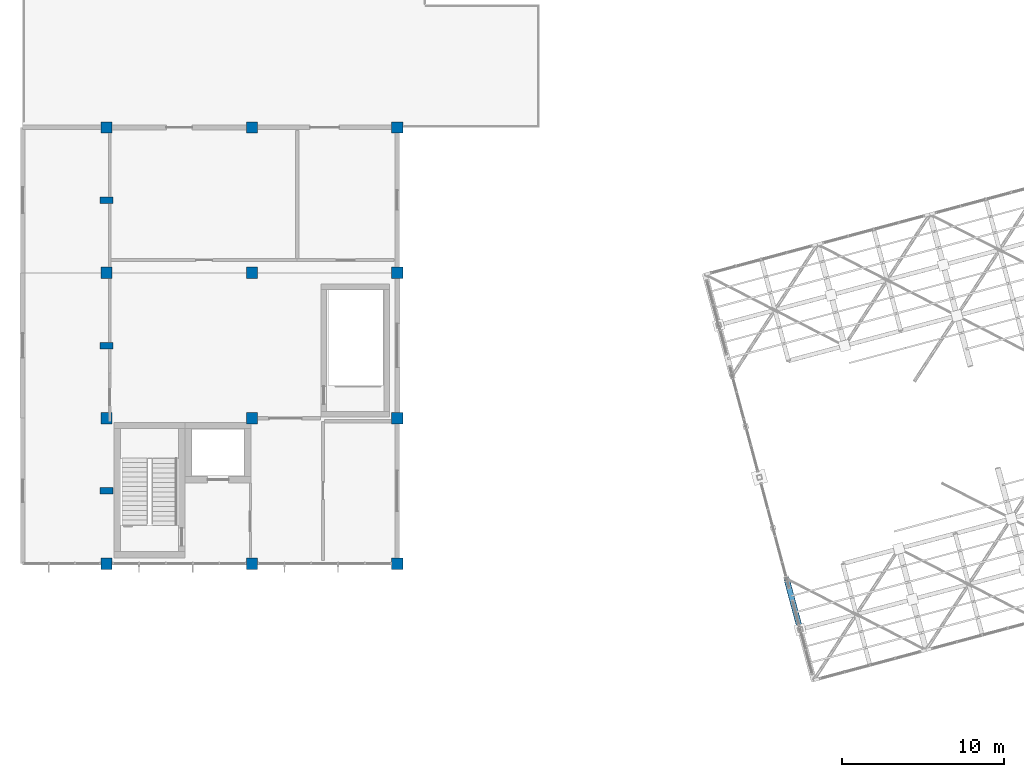
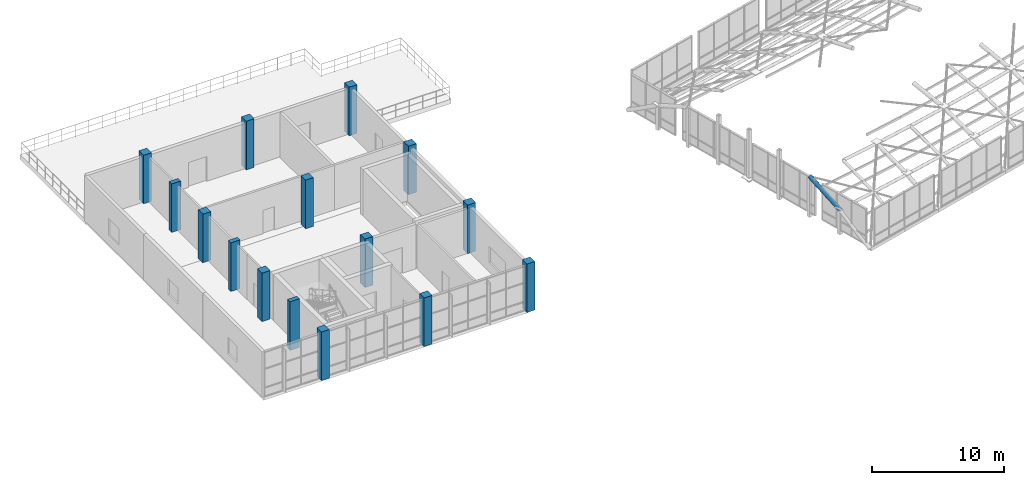
# One storey, part 1 of 29: 15 columns, 1 member.
"""IFC4 building model written with IfcOpenShell, lengths in metres."""

from ifc_helpers import new_model, si_unit, direction, frame, origin, origin_2d, place, context, subcontext, project, spatial, rectangle, hollow_circle, extrude, material, material_profile, profile_set, type_object, element, save


model = new_model("IFC4")

# Units and contexts
model_context = context("Model", 3, precision=1e-05, world=origin(), true_north=direction((0.0, 1.0)))
body_context = subcontext(model_context, "Body", "Model", "MODEL_VIEW")
ifc_project = project(units=[si_unit("LENGTHUNIT", "METRE"), si_unit("AREAUNIT", "SQUARE_METRE"), si_unit("VOLUMEUNIT", "CUBIC_METRE"), si_unit("PLANEANGLEUNIT", "RADIAN"), si_unit("MASSUNIT", "GRAM", prefix="KILO")], contexts=[model_context])

# Site, building, storey
site_placement = place(None, origin())
site = spatial("IfcSite", under=ifc_project, at=site_placement, CompositionType="ELEMENT")
building_placement = place(site_placement, origin())
building = spatial("IfcBuilding", under=site, at=building_placement, Name="Ventoquebrada Cableway Terminal", CompositionType="ELEMENT")
storey_placement = place(building_placement, frame((0.0, 0.0, 18.89990234375)))
storey = spatial("IfcBuildingStorey", under=building, at=storey_placement, Name="L04", CompositionType="ELEMENT", Elevation=18.89990234375)

# Columns
ifc_material_1 = material(Name="Concrete C40/50", Category="concrete")
ifc_material_profile_1 = material_profile(ifc_material_1, rectangle(XDim=0.699951171875, YDim=0.699951171875, at=origin_2d()), Name="RC-COL-700X700")
ifc_profile_set_1 = profile_set([ifc_material_profile_1], Name="Concrete C40/50")
column_type_1 = type_object("IfcColumnType", Name="COL-RC04", PredefinedType="COLUMN", material=ifc_profile_set_1)
for number, where, z_axis, x_axis, name in (
    (1, (8.199951171875, 77.0, 0.0), (0.0, 0.0, 1.0), (1.0, 0.0, 0.0), "Structural column FC-0186"),
    (2, (8.199951171875, 86.0, 0.0), (0.0, 0.0, 1.0), (1.0, 0.0, 0.0), "Structural column FC-0193"),
    (3, (8.199951171875, 95.0, 0.0), (0.0, 0.0, 1.0), (1.0, 0.0, 0.0), "Structural column FC-0200"),
    (4, (8.199951171875, 104.0, 0.0), (0.0, 0.0, 1.0), (1.0, 0.0, 0.0), "Structural column FC-0207"),
    (5, (17.199951171875, 77.0, 0.0), (0.0, 0.0, 1.0), (1.0, 0.0, 0.0), "Structural column FC-0226"),
    (6, (17.199951171875, 86.0, 0.0), (0.0, 0.0, 1.0), (1.0, 0.0, 0.0), "Structural column FC-0233"),
    (7, (17.199951171875, 95.0, 0.0), (0.0, 0.0, 1.0), (1.0, 0.0, 0.0), "Structural column FC-0240"),
    (8, (17.199951171875, 104.0, 0.0), (0.0, 0.0, 1.0), (1.0, 0.0, 0.0), "Structural column FC-0247"),
    (9, (26.199951171875, 77.0, 0.0), (0.0, 0.0, 1.0), (1.0, 0.0, 0.0), "Structural column FC-0266"),
    (10, (26.199951171875, 86.0, 0.0), (0.0, 0.0, 1.0), (1.0, 0.0, 0.0), "Structural column FC-0273"),
    (11, (26.199951171875, 95.0, 0.0), (0.0, 0.0, 1.0), (1.0, 0.0, 0.0), "Structural column FC-0280"),
    (12, (26.199951171875, 104.0, 0.0), (0.0, 0.0, 1.0), (1.0, 0.0, 0.0), "Structural column FC-0287"),
):
    element("IfcColumn", number, at=place(storey_placement, frame(where, z_axis=z_axis, x_axis=x_axis)), inside=storey, type_object=column_type_1, Name=name, PredefinedType="COLUMN", context=body_context, shape_type="SweptSolid", body=[
        extrude(rectangle(XDim=0.699951171875, YDim=0.699951171875, at=origin_2d()), origin(), (0.0, 0.0, 1.0), 4.5),
    ])
ifc_material_profile_2 = material_profile(ifc_material_1, rectangle(XDim=0.39990234375, YDim=0.800048828125, at=origin_2d()), Name="RC-PIL-400X800")
ifc_profile_set_2 = profile_set([ifc_material_profile_2], Name="Concrete C40/50")
column_type_2 = type_object("IfcColumnType", Name="PIL-RC01", PredefinedType="PILASTER", material=ifc_profile_set_2)
for number, where, z_axis, x_axis, name in (
    (13, (8.199951171875, 81.5, 0.0), (0.0, 0.0, 1.0), (0.0, 1.0, 0.0), "Facade pilaster FPL-0359"),
    (14, (8.199951171875, 90.5, 0.0), (0.0, 0.0, 1.0), (0.0, 1.0, 0.0), "Facade pilaster FPL-0366"),
    (15, (8.199951171875, 99.5, 0.0), (0.0, 0.0, 1.0), (0.0, 1.0, 0.0), "Facade pilaster FPL-0373"),
):
    element("IfcColumn", number, at=place(storey_placement, frame(where, z_axis=z_axis, x_axis=x_axis)), inside=storey, type_object=column_type_2, Name=name, PredefinedType="PILASTER", context=body_context, shape_type="SweptSolid", body=[
        extrude(rectangle(XDim=0.39990234375, YDim=0.800048828125, at=origin_2d()), origin(), (0.0, 0.0, 1.0), 4.5),
    ])

# Member
ifc_material_2 = material(Name="Steel ASTM A500 Grade C", Category="steel")
ifc_material_profile_3 = material_profile(ifc_material_2, hollow_circle(Radius=0.177734375, WallThickness=0.012451171875, at=origin_2d()), Name="CHS355.6X12.5")
ifc_profile_set_3 = profile_set([ifc_material_profile_3], Name="Steel ASTM A500 Grade C")
member_type = type_object("IfcMemberType", Name="CHD-GS01", PredefinedType="CHORD", material=ifc_profile_set_3)
member_placement = place(storey_placement, frame((51.136962890625, 72.923095703125, 2.967041015625), z_axis=(-0.235942636295, 0.880829679359, 0.410451152196), x_axis=(-0.965946375494, -0.258742342242, 0.0)))
element("IfcMember", 16, at=member_placement, inside=storey, type_object=member_type, Name="Saddle gridshell arch chord GCH-0016", PredefinedType="CHORD", context=body_context, shape_type="SweptSolid", body=[
    extrude(hollow_circle(Radius=0.177734375, WallThickness=0.012451171875, at=origin_2d()), origin(), (0.0, 0.0, 1.0), 3.564697265625),
])

save(model, "model.ifc")
